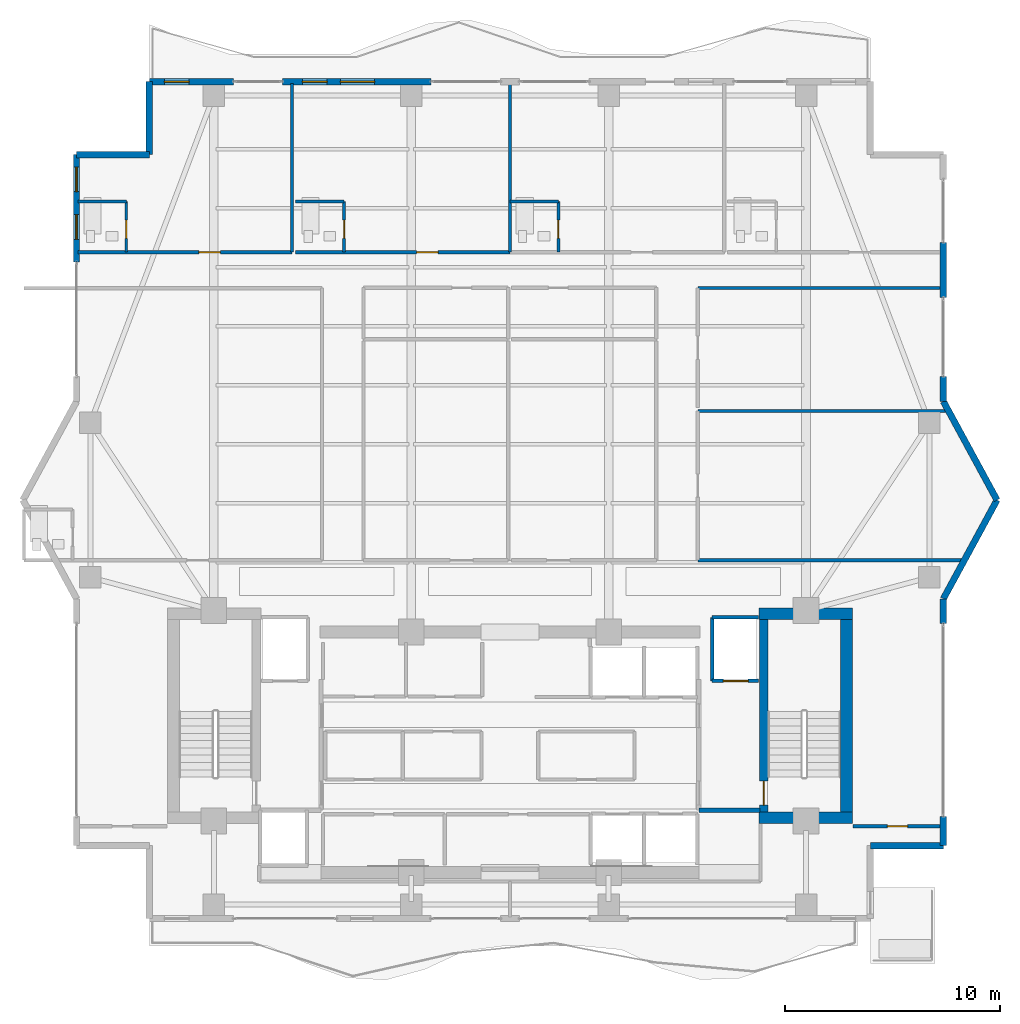
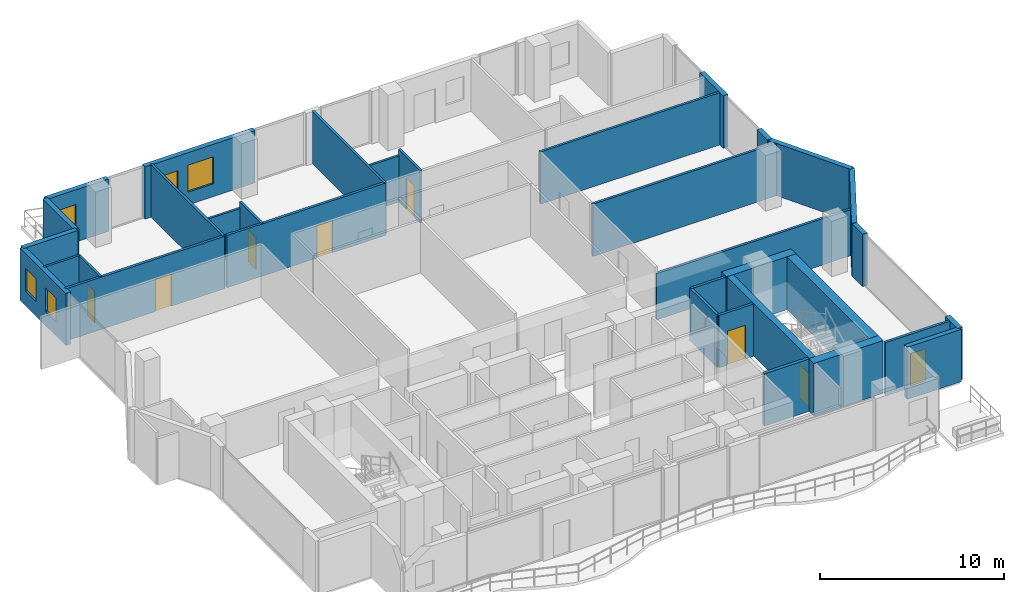
# One storey, part 21 of 25: 34 walls, 8 doors, 5 windows, 13 openings.
"""IFC4 building model written with IfcOpenShell, lengths in metres."""

from ifc_helpers import new_model, si_unit, direction, frame, frame_2d, origin, place, context, subcontext, project, spatial, rectangle, extrude, material, layer, layer_set, type_object, element, fill, save


model = new_model("IFC4")

# Units and contexts
model_context = context("Model", 3, precision=1e-05, world=origin(), true_north=direction((0.0, 1.0)))
body_context = subcontext(model_context, "Body", "Model", "MODEL_VIEW")
ifc_project = project(units=[si_unit("LENGTHUNIT", "METRE"), si_unit("AREAUNIT", "SQUARE_METRE"), si_unit("VOLUMEUNIT", "CUBIC_METRE"), si_unit("PLANEANGLEUNIT", "RADIAN"), si_unit("MASSUNIT", "GRAM", prefix="KILO")], contexts=[model_context])

# Site, building, storey
site_placement = place(None, origin())
site = spatial("IfcSite", under=ifc_project, at=site_placement, CompositionType="ELEMENT")
building_placement = place(site_placement, origin())
building = spatial("IfcBuilding", under=site, at=building_placement, Name="Zuhayl Quay Hotel", CompositionType="ELEMENT")
storey_placement = place(building_placement, frame((0.0, 0.0, 250.75)))
storey = spatial("IfcBuildingStorey", under=building, at=storey_placement, Name="L63", CompositionType="ELEMENT", Elevation=250.75)

# Walls
ifc_material_1 = material(Name="Concrete C50/60", Category="concrete")
ifc_layer_1 = layer(ifc_material_1, 0.550048828125, Name="Concrete C50/60", Category="concrete")
ifc_layer_set_1 = layer_set([ifc_layer_1], Name="Concrete C50/60")
wall_type_1 = type_object("IfcWallType", Name="WL_CORE_550", PredefinedType="SHEAR", material=ifc_layer_set_1)
wall_1_placement = place(storey_placement, frame((11.60009765625, 14.205078125, 0.0), z_axis=(0.0, 0.0, 1.0), x_axis=(1.0, 0.0, 0.0)))
element("IfcWall", 1, at=wall_1_placement, inside=storey, type_object=wall_type_1, Name="L63 Core Shear Wall CW_NE", PredefinedType="SHEAR", context=body_context, shape_type="SweptSolid", body=[
    extrude(rectangle(XDim=4.35986328125, YDim=0.550048828125, at=frame_2d((2.179931640625, 0.0))), origin(), (0.0, 0.0, 1.0), 3.510009765625),
])
wall_2_placement = place(storey_placement, frame((15.68505859375, 4.969970703125, 0.0), z_axis=(0.0, 0.0, 1.0), x_axis=(0.0, 1.0, 0.0)))
element("IfcWall", 2, at=wall_2_placement, inside=storey, type_object=wall_type_1, Name="L63 Core Shear Wall CW_E", PredefinedType="SHEAR", context=body_context, shape_type="SweptSolid", body=[
    extrude(rectangle(XDim=8.9599609375, YDim=0.550048828125, at=frame_2d((4.47998046875, 0.0))), origin(), (0.0, 0.0, 1.0), 3.510009765625),
])
wall_3_placement = place(storey_placement, frame((11.60009765625, 4.695068359375, 0.0), z_axis=(0.0, 0.0, 1.0), x_axis=(1.0, 0.0, 0.0)))
element("IfcWall", 3, at=wall_3_placement, inside=storey, type_object=wall_type_1, Name="L63 Core Shear Wall CW_SE", PredefinedType="SHEAR", context=body_context, shape_type="SweptSolid", body=[
    extrude(rectangle(XDim=4.35986328125, YDim=0.550048828125, at=frame_2d((2.179931640625, 0.0))), origin(), (0.0, 0.0, 1.0), 3.510009765625),
])

# Wall, openings, windows
ifc_material_2 = material(Name="Precast concrete C45/55", Category="concrete")
ifc_layer_2 = layer(ifc_material_2, 0.300048828125, Name="Precast concrete C45/55", Category="concrete")
ifc_layer_set_2 = layer_set([ifc_layer_2], Name="Precast concrete C45/55")
wall_type_2 = type_object("IfcWallType", Name="WL_EXT_300", PredefinedType="STANDARD", material=ifc_layer_set_2)
wall_4_placement = place(storey_placement, frame((-20.199951171875, 30.60009765625, 0.0), z_axis=(0.0, 0.0, 1.0), x_axis=(0.0, 1.0, 0.0)))
wall_4 = element("IfcWall", 4, at=wall_4_placement, inside=storey, type_object=wall_type_2, Name="L63 Exterior Precast Wall ENV_L63_E05_EW2", PredefinedType="STANDARD", context=body_context, shape_type="SweptSolid", body=[
    extrude(rectangle(XDim=5.0, YDim=0.300048828125, at=frame_2d((2.5, 0.0))), origin(), (0.0, 0.0, 1.0), 3.47998046875),
])
opening_1_placement = place(wall_4_placement, frame((1.054931640625, 0.0, 0.949951171875)))
opening_1 = element("IfcOpeningElement", 5, at=opening_1_placement, cuts=wall_4, Name="Opening W01N", PredefinedType="OPENING", context=body_context, shape_type="SweptSolid", body=[
    extrude(rectangle(XDim=1.14990234375, YDim=1.550048828125, at=frame_2d((0.574951171875, 0.77490234375))), frame((0.0, 0.159912109375, 0.0), z_axis=(0.0, -1.0, 0.0), x_axis=(1.0, 0.0, 0.0)), (0.0, 0.0, 1.0), 0.320068359375),
])
opening_2_placement = place(wall_4_placement, frame((3.27001953125, 0.0, 0.949951171875)))
opening_2 = element("IfcOpeningElement", 6, at=opening_2_placement, cuts=wall_4, Name="Opening W01N", PredefinedType="OPENING", context=body_context, shape_type="SweptSolid", body=[
    extrude(rectangle(XDim=1.14990234375, YDim=1.550048828125, at=frame_2d((0.574951171875, 0.77490234375))), frame((0.0, 0.159912109375, 0.0), z_axis=(0.0, -1.0, 0.0), x_axis=(1.0, 0.0, 0.0)), (0.0, 0.0, 1.0), 0.320068359375),
])
ifc_material_3 = material(Name="Dark Ceramic-Fritted Solar Glass", Category="glass")
window_type_1 = type_object("IfcWindowType", Name="WN_NOTCH_1350", PartitioningType="SINGLE_PANEL", PredefinedType="WINDOW", material=ifc_material_3)
window_1_placement = place(opening_1_placement, origin())
window_1 = element("IfcWindow", 7, at=window_1_placement, inside=storey, type_object=window_type_1, Name="L63 Operable Facade Window 2-1", OverallHeight=1.550048828125, OverallWidth=1.14990234375, PartitioningType="SINGLE_PANEL", PredefinedType="WINDOW", context=body_context, shape_type="SweptSolid", body=[
    extrude(rectangle(XDim=1.14990234375, YDim=1.550048828125, at=frame_2d((0.574951171875, 0.77490234375))), frame((0.0, 0.030029296875, 0.0), z_axis=(0.0, -1.0, 0.0), x_axis=(1.0, 0.0, 0.0)), (0.0, 0.0, 1.0), 0.06005859375),
])
fill(opening_1, window_1)
window_2_placement = place(opening_2_placement, origin())
window_2 = element("IfcWindow", 8, at=window_2_placement, inside=storey, type_object=window_type_1, Name="L63 Operable Facade Window 2-2", OverallHeight=1.550048828125, OverallWidth=1.14990234375, PartitioningType="SINGLE_PANEL", PredefinedType="WINDOW", context=body_context, shape_type="SweptSolid", body=[
    extrude(rectangle(XDim=1.14990234375, YDim=1.550048828125, at=frame_2d((0.574951171875, 0.77490234375))), frame((0.0, 0.030029296875, 0.0), z_axis=(0.0, -1.0, 0.0), x_axis=(1.0, 0.0, 0.0)), (0.0, 0.0, 1.0), 0.06005859375),
])
fill(opening_2, window_2)

# Walls
for number, where, z_axis, x_axis, name in (
    (9, (-20.199951171875, 35.60009765625, 0.0), (0.0, 0.0, 1.0), (1.0, 0.0, 0.0), "L63 Exterior Precast Wall ENV_L63_EW06"),
    (10, (-16.800048828125, 35.60009765625, 0.0), (0.0, 0.0, 1.0), (0.0, 1.0, 0.0), "L63 Exterior Precast Wall ENV_L63_EW07"),
):
    element("IfcWall", number, at=place(storey_placement, frame(where, z_axis=z_axis, x_axis=x_axis)), inside=storey, type_object=wall_type_2, Name=name, PredefinedType="STANDARD", context=body_context, shape_type="SweptSolid", body=[
        extrude(rectangle(XDim=3.39990234375, YDim=0.300048828125, at=frame_2d((1.699951171875, 0.0))), origin(), (0.0, 0.0, 1.0), 3.47998046875),
    ])

# Wall, opening, window
wall_5_placement = place(storey_placement, frame((-16.800048828125, 39.0, 0.0), z_axis=(0.0, 0.0, 1.0), x_axis=(1.0, 0.0, 0.0)))
wall_5 = element("IfcWall", 11, at=wall_5_placement, inside=storey, type_object=wall_type_2, Name="L63 Exterior Precast Wall ENV_L63_N_EW1", PredefinedType="STANDARD", context=body_context, shape_type="SweptSolid", body=[
    extrude(rectangle(XDim=3.920166015625, YDim=0.300048828125, at=frame_2d((1.9599609375, 0.0))), origin(), (0.0, 0.0, 1.0), 3.47998046875),
])
opening_3_placement = place(wall_5_placement, frame((0.695068359375, 0.0, 0.949951171875)))
opening_3 = element("IfcOpeningElement", 12, at=opening_3_placement, cuts=wall_5, Name="Opening W01N", PredefinedType="OPENING", context=body_context, shape_type="SweptSolid", body=[
    extrude(rectangle(XDim=1.14990234375, YDim=1.550048828125, at=frame_2d((0.574951171875, 0.77490234375))), frame((0.0, 0.159912109375, 0.0), z_axis=(0.0, -1.0, 0.0), x_axis=(1.0, 0.0, 0.0)), (0.0, 0.0, 1.0), 0.320068359375),
])
window_3_placement = place(opening_3_placement, origin())
window_3 = element("IfcWindow", 13, at=window_3_placement, inside=storey, type_object=window_type_1, Name="L63 Operable Facade Window 1-1", OverallHeight=1.550048828125, OverallWidth=1.14990234375, PartitioningType="SINGLE_PANEL", PredefinedType="WINDOW", context=body_context, shape_type="SweptSolid", body=[
    extrude(rectangle(XDim=1.14990234375, YDim=1.550048828125, at=frame_2d((0.574951171875, 0.77490234375))), frame((0.0, 0.030029296875, 0.0), z_axis=(0.0, -1.0, 0.0), x_axis=(1.0, 0.0, 0.0)), (0.0, 0.0, 1.0), 0.06005859375),
])
fill(opening_3, window_3)

# Wall, openings, windows
wall_6_placement = place(storey_placement, frame((-10.60009765625, 39.0, 0.0), z_axis=(0.0, 0.0, 1.0), x_axis=(1.0, 0.0, 0.0)))
wall_6 = element("IfcWall", 14, at=wall_6_placement, inside=storey, type_object=wall_type_2, Name="L63 Exterior Precast Wall ENV_L63_N_EW2", PredefinedType="STANDARD", context=body_context, shape_type="SweptSolid", body=[
    extrude(rectangle(XDim=6.920166015625, YDim=0.300048828125, at=frame_2d((3.4599609375, 0.0))), origin(), (0.0, 0.0, 1.0), 3.47998046875),
])
opening_4_placement = place(wall_6_placement, frame((2.695068359375, 0.0, 0.85009765625)))
opening_4 = element("IfcOpeningElement", 15, at=opening_4_placement, cuts=wall_6, Name="Opening W01", PredefinedType="OPENING", context=body_context, shape_type="SweptSolid", body=[
    extrude(rectangle(XDim=1.60009765625, YDim=1.800048828125, at=frame_2d((0.800048828125, 0.89990234375))), frame((0.0, 0.159912109375, 0.0), z_axis=(0.0, -1.0, 0.0), x_axis=(1.0, 0.0, 0.0)), (0.0, 0.0, 1.0), 0.320068359375),
])
opening_5_placement = place(wall_6_placement, frame((0.9326171875, 0.0, 0.949951171875)))
opening_5 = element("IfcOpeningElement", 16, at=opening_5_placement, cuts=wall_6, Name="Opening W01N", PredefinedType="OPENING", context=body_context, shape_type="SweptSolid", body=[
    extrude(rectangle(XDim=1.14990234375, YDim=1.550048828125, at=frame_2d((0.574951171875, 0.77490234375))), frame((0.0, 0.159912109375, 0.0), z_axis=(0.0, -1.0, 0.0), x_axis=(1.0, 0.0, 0.0)), (0.0, 0.0, 1.0), 0.320068359375),
])
window_4_placement = place(opening_5_placement, origin())
window_4 = element("IfcWindow", 17, at=window_4_placement, inside=storey, type_object=window_type_1, Name="L63 Operable Facade Window 2-1", OverallHeight=1.550048828125, OverallWidth=1.14990234375, PartitioningType="SINGLE_PANEL", PredefinedType="WINDOW", context=body_context, shape_type="SweptSolid", body=[
    extrude(rectangle(XDim=1.14990234375, YDim=1.550048828125, at=frame_2d((0.574951171875, 0.77490234375))), frame((0.0, 0.030029296875, 0.0), z_axis=(0.0, -1.0, 0.0), x_axis=(1.0, 0.0, 0.0)), (0.0, 0.0, 1.0), 0.06005859375),
])
fill(opening_5, window_4)
window_type_2 = type_object("IfcWindowType", Name="WN_OPERABLE_1600", PartitioningType="DOUBLE_PANEL_VERTICAL", PredefinedType="WINDOW", material=ifc_material_3)
window_5_placement = place(opening_4_placement, origin())
window_5 = element("IfcWindow", 18, at=window_5_placement, inside=storey, type_object=window_type_2, Name="L63 North Operable Casement Window", OverallHeight=1.800048828125, OverallWidth=1.60009765625, PartitioningType="SINGLE_PANEL", PredefinedType="WINDOW", context=body_context, shape_type="SweptSolid", body=[
    extrude(rectangle(XDim=1.60009765625, YDim=1.800048828125, at=frame_2d((0.800048828125, 0.89990234375))), frame((0.0, 0.030029296875, 0.0), z_axis=(0.0, -1.0, 0.0), x_axis=(1.0, 0.0, 0.0)), (0.0, 0.0, 1.0), 0.06005859375),
])
fill(opening_4, window_5)

# Walls
wall_7_placement = place(storey_placement, frame((20.199951171875, 31.5, 0.0), z_axis=(0.0, 0.0, 1.0), x_axis=(0.0, -1.0, 0.0)))
element("IfcWall", 19, at=wall_7_placement, inside=storey, type_object=wall_type_2, Name="L63 Exterior Precast Wall ENV_L63_E11_EW2", PredefinedType="STANDARD", context=body_context, shape_type="SweptSolid", body=[
    extrude(rectangle(XDim=2.570068359375, YDim=0.300048828125, at=frame_2d((1.28515625, 0.0))), origin(), (0.0, 0.0, 1.0), 3.47998046875),
])
wall_8_placement = place(storey_placement, frame((20.199951171875, 25.25, 0.0), z_axis=(0.0, 0.0, 1.0), x_axis=(0.0, -1.0, 0.0)))
element("IfcWall", 20, at=wall_8_placement, inside=storey, type_object=wall_type_2, Name="L63 Exterior Precast Wall ENV_L63_E11_EW3", PredefinedType="STANDARD", context=body_context, shape_type="SweptSolid", body=[
    extrude(rectangle(XDim=1.14990234375, YDim=0.300048828125, at=frame_2d((0.574951171875, 0.0))), origin(), (0.0, 0.0, 1.0), 3.47998046875),
])
for number, where, z_axis, x_axis, name in (
    (21, (20.199951171875, 24.10009765625, 0.0), (0.0, 0.0, 1.0), (0.477505494629, -0.878628762675, 0.0), "L63 Exterior Precast Wall ENV_L63_EW12"),
    (22, (22.699951171875, 19.5, 0.0), (0.0, 0.0, 1.0), (-0.477505494629, -0.878628762675, 0.0), "L63 Exterior Precast Wall ENV_L63_EW13"),
):
    element("IfcWall", number, at=place(storey_placement, frame(where, z_axis=z_axis, x_axis=x_axis)), inside=storey, type_object=wall_type_2, Name=name, PredefinedType="STANDARD", context=body_context, shape_type="SweptSolid", body=[
        extrude(rectangle(XDim=5.235595703125, YDim=0.300048828125, at=frame_2d((2.61767578125, 0.0))), origin(), (0.0, 0.0, 1.0), 3.47998046875),
    ])
wall_9_placement = place(storey_placement, frame((20.199951171875, 14.89990234375, 0.0), z_axis=(0.0, 0.0, 1.0), x_axis=(0.0, -1.0, 0.0)))
element("IfcWall", 23, at=wall_9_placement, inside=storey, type_object=wall_type_2, Name="L63 Exterior Precast Wall ENV_L63_E14_EW1", PredefinedType="STANDARD", context=body_context, shape_type="SweptSolid", body=[
    extrude(rectangle(XDim=1.14990234375, YDim=0.300048828125, at=frame_2d((0.574951171875, 0.0))), origin(), (0.0, 0.0, 1.0), 3.47998046875),
])
wall_10_placement = place(storey_placement, frame((20.199951171875, 4.75, 0.0), z_axis=(0.0, 0.0, 1.0), x_axis=(0.0, -1.0, 0.0)))
element("IfcWall", 24, at=wall_10_placement, inside=storey, type_object=wall_type_2, Name="L63 Exterior Precast Wall ENV_L63_E14_EW2", PredefinedType="STANDARD", context=body_context, shape_type="SweptSolid", body=[
    extrude(rectangle(XDim=1.35009765625, YDim=0.300048828125, at=frame_2d((0.675048828125, 0.0))), origin(), (0.0, 0.0, 1.0), 3.47998046875),
])
wall_11_placement = place(storey_placement, frame((20.199951171875, 3.39990234375, 0.0), z_axis=(0.0, 0.0, 1.0), x_axis=(-1.0, 0.0, 0.0)))
element("IfcWall", 25, at=wall_11_placement, inside=storey, type_object=wall_type_2, Name="L63 Exterior Precast Wall ENV_L63_EW15", PredefinedType="STANDARD", context=body_context, shape_type="SweptSolid", body=[
    extrude(rectangle(XDim=3.39990234375, YDim=0.300048828125, at=frame_2d((1.699951171875, 0.0))), origin(), (0.0, 0.0, 1.0), 3.47998046875),
])
ifc_material_4 = material(Name="Acoustic Gypsum Partition STC-58")
ifc_layer_3 = layer(ifc_material_4, 0.14990234375, Name="Acoustic Gypsum Partition STC-58")
ifc_layer_set_3 = layer_set([ifc_layer_3], Name="Acoustic Gypsum Partition STC-58")
wall_type_3 = type_object("IfcWallType", Name="WL_PART_150", PredefinedType="PARTITIONING", material=ifc_layer_set_3)
for number, where, z_axis, x_axis, name in (
    (26, (-10.14990234375, 31.050048828125, 0.0), (0.0, 0.0, 1.0), (0.0, 1.0, 0.0), "L63 Partition IW_L63_NU01A_E"),
    (27, (0.0, 31.050048828125, 0.0), (0.0, 0.0, 1.0), (0.0, 1.0, 0.0), "L63 Partition IW_L63_NU01B_E"),
):
    element("IfcWall", number, at=place(storey_placement, frame(where, z_axis=z_axis, x_axis=x_axis)), inside=storey, type_object=wall_type_3, Name=name, PredefinedType="PARTITIONING", context=body_context, shape_type="SweptSolid", body=[
        extrude(rectangle(XDim=7.869873046875, YDim=0.14990234375, at=frame_2d((3.93505859375, 0.0))), origin(), (0.0, 0.0, 1.0), 3.47998046875),
    ])
wall_12_placement = place(storey_placement, frame((8.760009765625, 16.699951171875, 0.0), z_axis=(0.0, 0.0, 1.0), x_axis=(1.0, 0.0, 0.0)))
element("IfcWall", 28, at=wall_12_placement, inside=storey, type_object=wall_type_3, Name="L63 Partition IW_L63_Z4_E1_S", PredefinedType="PARTITIONING", context=body_context, shape_type="SweptSolid", body=[
    extrude(rectangle(XDim=12.3583984375, YDim=0.14990234375, at=frame_2d((6.17919921875, 0.0))), origin(), (0.0, 0.0, 1.0), 3.075927734375),
])
wall_13_placement = place(storey_placement, frame((8.760009765625, 23.64990234375, 0.0), z_axis=(0.0, 0.0, 1.0), x_axis=(1.0, 0.0, 0.0)))
element("IfcWall", 29, at=wall_13_placement, inside=storey, type_object=wall_type_3, Name="L63 Partition IW_L63_Z4_E1_N", PredefinedType="PARTITIONING", context=body_context, shape_type="SweptSolid", body=[
    extrude(rectangle(XDim=11.62451171875, YDim=0.14990234375, at=frame_2d((5.812255859375, 0.0))), origin(), (0.0, 0.0, 1.0), 3.47998046875),
])
wall_14_placement = place(storey_placement, frame((8.760009765625, 29.3798828125, 0.0), z_axis=(0.0, 0.0, 1.0), x_axis=(1.0, 0.0, 0.0)))
element("IfcWall", 30, at=wall_14_placement, inside=storey, type_object=wall_type_3, Name="L63 Partition IW_L63_Z4_E2_N", PredefinedType="PARTITIONING", context=body_context, shape_type="SweptSolid", body=[
    extrude(rectangle(XDim=11.3798828125, YDim=0.14990234375, at=frame_2d((5.68994140625, 0.0))), origin(), (0.0, 0.0, 1.0), 3.47998046875),
])

# Wall, opening, door
ifc_layer_4 = layer(ifc_material_4, 0.159912109375, Name="Acoustic Gypsum Partition STC-58")
ifc_layer_set_4 = layer_set([ifc_layer_4], Name="Acoustic Gypsum Partition STC-58")
wall_type_4 = type_object("IfcWallType", Name="WL_PART_CORR_160", PredefinedType="PARTITIONING", material=ifc_layer_set_4)
wall_15_placement = place(storey_placement, frame((15.97998046875, 4.300048828125, 0.0), z_axis=(0.0, 0.0, 1.0), x_axis=(1.0, 0.0, 0.0)))
wall_15 = element("IfcWall", 31, at=wall_15_placement, inside=storey, type_object=wall_type_4, Name="L63 Partition IW_L63_Z4_SUN_SE_N", PredefinedType="PARTITIONING", context=body_context, shape_type="SweptSolid", body=[
    extrude(rectangle(XDim=4.159912109375, YDim=0.159912109375, at=frame_2d((2.080078125, 0.0))), origin(), (0.0, 0.0, 1.0), 3.47998046875),
])
opening_6_placement = place(wall_15_placement, frame((1.60498046875, 0.0, 0.0)))
opening_6 = element("IfcOpeningElement", 32, at=opening_6_placement, cuts=wall_15, Name="Opening D03", PredefinedType="OPENING", context=body_context, shape_type="SweptSolid", body=[
    extrude(rectangle(XDim=0.949951171875, YDim=2.14990234375, at=frame_2d((0.47509765625, 1.074951171875))), frame((0.0, 0.08984375, 0.0), z_axis=(0.0, -1.0, 0.0), x_axis=(1.0, 0.0, 0.0)), (0.0, 0.0, 1.0), 0.179931640625),
])
ifc_material_5 = material(Name="Solid Walnut Acoustic Fire Door")
door_type_1 = type_object("IfcDoorType", Name="DR_SUITE_950", OperationType="NOTDEFINED", PredefinedType="DOOR", material=ifc_material_5)
door_1_placement = place(opening_6_placement, origin())
door_1 = element("IfcDoor", 33, at=door_1_placement, inside=storey, type_object=door_type_1, Name="L63 Sunset Salon SE Door", OperationType="SINGLE_SWING_RIGHT", OverallHeight=2.14990234375, OverallWidth=0.949951171875, PredefinedType="DOOR", context=body_context, shape_type="SweptSolid", body=[
    extrude(rectangle(XDim=0.949951171875, YDim=2.14990234375, at=frame_2d((0.47509765625, 1.074951171875))), frame((0.0, 0.02490234375, 0.0), z_axis=(0.0, -1.0, 0.0), x_axis=(1.0, 0.0, 0.0)), (0.0, 0.0, 1.0), 0.050048828125),
])
fill(opening_6, door_1)

wall_16_placement = place(storey_placement, frame((-20.139892578125, 31.050048828125, 0.0), z_axis=(0.0, 0.0, 1.0), x_axis=(1.0, 0.0, 0.0)))
wall_16 = element("IfcWall", 34, at=wall_16_placement, inside=storey, type_object=wall_type_4, Name="L63 Partition IW_L63_NU01A_COR", PredefinedType="PARTITIONING", context=body_context, shape_type="SweptSolid", body=[
    extrude(rectangle(XDim=9.989990234375, YDim=0.159912109375, at=frame_2d((4.9951171875, 0.0))), origin(), (0.0, 0.0, 1.0), 3.47998046875),
])
opening_7_placement = place(wall_16_placement, frame((5.64501953125, 0.0, 0.0)))
opening_7 = element("IfcOpeningElement", 35, at=opening_7_placement, cuts=wall_16, Name="Opening D03L", PredefinedType="OPENING", context=body_context, shape_type="SweptSolid", body=[
    extrude(rectangle(XDim=1.0, YDim=2.14990234375, at=frame_2d((0.5, 1.074951171875))), frame((0.0, 0.08984375, 0.0), z_axis=(0.0, -1.0, 0.0), x_axis=(1.0, 0.0, 0.0)), (0.0, 0.0, 1.0), 0.179931640625),
])
door_type_2 = type_object("IfcDoorType", Name="DR_SUITE_1000", OperationType="NOTDEFINED", PredefinedType="DOOR", material=ifc_material_5)
door_2_placement = place(opening_7_placement, origin())
door_2 = element("IfcDoor", 36, at=door_2_placement, inside=storey, type_object=door_type_2, Name="L63 Royal Gulf Suite L63-01A Entrance Door", OperationType="SINGLE_SWING_RIGHT", OverallHeight=2.14990234375, OverallWidth=1.0, PredefinedType="DOOR", context=body_context, shape_type="SweptSolid", body=[
    extrude(rectangle(XDim=1.0, YDim=2.14990234375, at=frame_2d((0.5, 1.074951171875))), frame((0.0, 0.02490234375, 0.0), z_axis=(0.0, -1.0, 0.0), x_axis=(1.0, 0.0, 0.0)), (0.0, 0.0, 1.0), 0.050048828125),
])
fill(opening_7, door_2)

wall_17_placement = place(storey_placement, frame((-9.989990234375, 31.050048828125, 0.0), z_axis=(0.0, 0.0, 1.0), x_axis=(1.0, 0.0, 0.0)))
wall_17 = element("IfcWall", 37, at=wall_17_placement, inside=storey, type_object=wall_type_4, Name="L63 Partition IW_L63_NU01B_COR", PredefinedType="PARTITIONING", context=body_context, shape_type="SweptSolid", body=[
    extrude(rectangle(XDim=9.989990234375, YDim=0.159912109375, at=frame_2d((4.9951171875, 0.0))), origin(), (0.0, 0.0, 1.0), 3.47998046875),
])
opening_8_placement = place(wall_17_placement, frame((5.64501953125, 0.0, 0.0)))
opening_8 = element("IfcOpeningElement", 38, at=opening_8_placement, cuts=wall_17, Name="Opening D03L", PredefinedType="OPENING", context=body_context, shape_type="SweptSolid", body=[
    extrude(rectangle(XDim=1.0, YDim=2.14990234375, at=frame_2d((0.5, 1.074951171875))), frame((0.0, 0.08984375, 0.0), z_axis=(0.0, -1.0, 0.0), x_axis=(1.0, 0.0, 0.0)), (0.0, 0.0, 1.0), 0.179931640625),
])
door_3_placement = place(opening_8_placement, origin())
door_3 = element("IfcDoor", 39, at=door_3_placement, inside=storey, type_object=door_type_2, Name="L63 Royal Gulf Suite L63-01B Entrance Door", OperationType="SINGLE_SWING_RIGHT", OverallHeight=2.14990234375, OverallWidth=1.0, PredefinedType="DOOR", context=body_context, shape_type="SweptSolid", body=[
    extrude(rectangle(XDim=1.0, YDim=2.14990234375, at=frame_2d((0.5, 1.074951171875))), frame((0.0, 0.02490234375, 0.0), z_axis=(0.0, -1.0, 0.0), x_axis=(1.0, 0.0, 0.0)), (0.0, 0.0, 1.0), 0.050048828125),
])
fill(opening_8, door_3)

ifc_material_6 = material(Name="Moisture-Resistant Sanitarychase Gypsum")
ifc_layer_5 = layer(ifc_material_6, 0.135009765625, Name="Moisture-Resistant Sanitarychase Gypsum")
ifc_layer_set_5 = layer_set([ifc_layer_5], Name="Moisture-Resistant Sanitarychase Gypsum")
wall_type_5 = type_object("IfcWallType", Name="WL_PART_PLUMB_150", PredefinedType="PLUMBINGWALL", material=ifc_layer_set_5)
wall_18_placement = place(storey_placement, frame((-17.8798828125, 31.050048828125, 0.0), z_axis=(0.0, 0.0, 1.0), x_axis=(0.0, 1.0, 0.0)))
wall_18 = element("IfcWall", 40, at=wall_18_placement, inside=storey, type_object=wall_type_5, Name="L63 Partition IW_L63_NU01A_BE", PredefinedType="PLUMBINGWALL", context=body_context, shape_type="SweptSolid", body=[
    extrude(rectangle(XDim=2.35986328125, YDim=0.135009765625, at=frame_2d((1.179931640625, 0.0))), origin(), (0.0, 0.0, 1.0), 3.47998046875),
])
opening_9_placement = place(wall_18_placement, frame((0.64990234375, 0.0, 0.0)))
opening_9 = element("IfcOpeningElement", 41, at=opening_9_placement, cuts=wall_18, Name="Opening D04", PredefinedType="OPENING", context=body_context, shape_type="SweptSolid", body=[
    extrude(rectangle(XDim=0.85009765625, YDim=2.10009765625, at=frame_2d((0.425048828125, 1.050048828125))), frame((0.0, 0.077392578125, 0.0), z_axis=(0.0, -1.0, 0.0), x_axis=(1.0, 0.0, 0.0)), (0.0, 0.0, 1.0), 0.155029296875),
])
ifc_material_7 = material(Name="Moisture-Resistant Walnut Veneer")
door_type_3 = type_object("IfcDoorType", Name="DR_BATH_850", OperationType="NOTDEFINED", PredefinedType="DOOR", material=ifc_material_7)
door_4_placement = place(opening_9_placement, origin())
door_4 = element("IfcDoor", 42, at=door_4_placement, inside=storey, type_object=door_type_3, Name="L63 Royal Gulf Suite L63-01A En-Suite Door", OperationType="SINGLE_SWING_LEFT", OverallHeight=2.10009765625, OverallWidth=0.85009765625, PredefinedType="DOOR", context=body_context, shape_type="SweptSolid", body=[
    extrude(rectangle(XDim=0.85009765625, YDim=2.10009765625, at=frame_2d((0.425048828125, 1.050048828125))), frame((0.0, 0.02490234375, 0.0), z_axis=(0.0, -1.0, 0.0), x_axis=(1.0, 0.0, 0.0)), (0.0, 0.0, 1.0), 0.050048828125),
])
fill(opening_9, door_4)

wall_19_placement = place(storey_placement, frame((-7.72998046875, 31.050048828125, 0.0), z_axis=(0.0, 0.0, 1.0), x_axis=(0.0, 1.0, 0.0)))
wall_19 = element("IfcWall", 43, at=wall_19_placement, inside=storey, type_object=wall_type_5, Name="L63 Partition IW_L63_NU01B_BE", PredefinedType="PLUMBINGWALL", context=body_context, shape_type="SweptSolid", body=[
    extrude(rectangle(XDim=2.35986328125, YDim=0.135009765625, at=frame_2d((1.179931640625, 0.0))), origin(), (0.0, 0.0, 1.0), 3.47998046875),
])
opening_10_placement = place(wall_19_placement, frame((0.64990234375, 0.0, 0.0)))
opening_10 = element("IfcOpeningElement", 44, at=opening_10_placement, cuts=wall_19, Name="Opening D04", PredefinedType="OPENING", context=body_context, shape_type="SweptSolid", body=[
    extrude(rectangle(XDim=0.85009765625, YDim=2.10009765625, at=frame_2d((0.425048828125, 1.050048828125))), frame((0.0, 0.077392578125, 0.0), z_axis=(0.0, -1.0, 0.0), x_axis=(1.0, 0.0, 0.0)), (0.0, 0.0, 1.0), 0.155029296875),
])
door_5_placement = place(opening_10_placement, origin())
door_5 = element("IfcDoor", 45, at=door_5_placement, inside=storey, type_object=door_type_3, Name="L63 Royal Gulf Suite L63-01B En-Suite Door", OperationType="SINGLE_SWING_LEFT", OverallHeight=2.10009765625, OverallWidth=0.85009765625, PredefinedType="DOOR", context=body_context, shape_type="SweptSolid", body=[
    extrude(rectangle(XDim=0.85009765625, YDim=2.10009765625, at=frame_2d((0.425048828125, 1.050048828125))), frame((0.0, 0.02490234375, 0.0), z_axis=(0.0, -1.0, 0.0), x_axis=(1.0, 0.0, 0.0)), (0.0, 0.0, 1.0), 0.050048828125),
])
fill(opening_10, door_5)

wall_20_placement = place(storey_placement, frame((2.260009765625, 31.050048828125, 0.0), z_axis=(0.0, 0.0, 1.0), x_axis=(0.0, 1.0, 0.0)))
wall_20 = element("IfcWall", 46, at=wall_20_placement, inside=storey, type_object=wall_type_5, Name="L63 Partition IW_L63_NU02A_BE", PredefinedType="PLUMBINGWALL", context=body_context, shape_type="SweptSolid", body=[
    extrude(rectangle(XDim=2.35986328125, YDim=0.135009765625, at=frame_2d((1.179931640625, 0.0))), origin(), (0.0, 0.0, 1.0), 3.47998046875),
])
opening_11_placement = place(wall_20_placement, frame((0.64990234375, 0.0, 0.0)))
opening_11 = element("IfcOpeningElement", 47, at=opening_11_placement, cuts=wall_20, Name="Opening D04", PredefinedType="OPENING", context=body_context, shape_type="SweptSolid", body=[
    extrude(rectangle(XDim=0.85009765625, YDim=2.10009765625, at=frame_2d((0.425048828125, 1.050048828125))), frame((0.0, 0.077392578125, 0.0), z_axis=(0.0, -1.0, 0.0), x_axis=(1.0, 0.0, 0.0)), (0.0, 0.0, 1.0), 0.155029296875),
])
door_6_placement = place(opening_11_placement, origin())
door_6 = element("IfcDoor", 48, at=door_6_placement, inside=storey, type_object=door_type_3, Name="L63 Royal Gulf Suite L63-02A En-Suite Door", OperationType="SINGLE_SWING_LEFT", OverallHeight=2.10009765625, OverallWidth=0.85009765625, PredefinedType="DOOR", context=body_context, shape_type="SweptSolid", body=[
    extrude(rectangle(XDim=0.85009765625, YDim=2.10009765625, at=frame_2d((0.425048828125, 1.050048828125))), frame((0.0, 0.02490234375, 0.0), z_axis=(0.0, -1.0, 0.0), x_axis=(1.0, 0.0, 0.0)), (0.0, 0.0, 1.0), 0.050048828125),
])
fill(opening_11, door_6)

# Walls
wall_21_placement = place(storey_placement, frame((-20.139892578125, 33.409912109375, 0.0), z_axis=(0.0, 0.0, 1.0), x_axis=(1.0, 0.0, 0.0)))
element("IfcWall", 49, at=wall_21_placement, inside=storey, type_object=wall_type_5, Name="L63 Partition IW_L63_NU01A_BN", PredefinedType="PLUMBINGWALL", context=body_context, shape_type="SweptSolid", body=[
    extrude(rectangle(XDim=2.260009765625, YDim=0.135009765625, at=frame_2d((1.1298828125, 0.0))), origin(), (0.0, 0.0, 1.0), 3.47998046875),
])
for number, where, z_axis, x_axis, name in (
    (50, (-9.989990234375, 33.409912109375, 0.0), (0.0, 0.0, 1.0), (1.0, 0.0, 0.0), "L63 Partition IW_L63_NU01B_BN"),
    (51, (0.0, 33.409912109375, 0.0), (0.0, 0.0, 1.0), (1.0, 0.0, 0.0), "L63 Partition IW_L63_NU02A_BN"),
):
    element("IfcWall", number, at=place(storey_placement, frame(where, z_axis=z_axis, x_axis=x_axis)), inside=storey, type_object=wall_type_5, Name=name, PredefinedType="PLUMBINGWALL", context=body_context, shape_type="SweptSolid", body=[
        extrude(rectangle(XDim=2.260009765625, YDim=0.135009765625, at=frame_2d((1.1298828125, 0.0))), origin(), (0.0, 0.0, 1.0), 3.075927734375),
    ])

# Wall, opening, door
ifc_material_8 = material(Name="Gypsum Fireboard Assembly EI-90")
ifc_layer_6 = layer(ifc_material_8, 0.1650390625, Name="Gypsum Fireboard Assembly EI-90")
ifc_layer_set_6 = layer_set([ifc_layer_6], Name="Gypsum Fireboard Assembly EI-90")
wall_type_6 = type_object("IfcWallType", Name="WL_PART_SHAFT_160", PredefinedType="PARTITIONING", material=ifc_layer_set_6)
wall_22_placement = place(storey_placement, frame((9.419921875, 11.070068359375, 0.0), z_axis=(0.0, 0.0, 1.0), x_axis=(1.0, 0.0, 0.0)))
wall_22 = element("IfcWall", 52, at=wall_22_placement, inside=storey, type_object=wall_type_6, Name="L63 Partition IW_L63_SH_FL2_F", PredefinedType="PARTITIONING", context=body_context, shape_type="SweptSolid", body=[
    extrude(rectangle(XDim=2.16015625, YDim=0.1650390625, at=frame_2d((1.080078125, 0.0))), origin(), (0.0, 0.0, 1.0), 3.47998046875),
])
opening_12_placement = place(wall_22_placement, frame((0.530029296875, 0.0, 0.0)))
opening_12 = element("IfcOpeningElement", 53, at=opening_12_placement, cuts=wall_22, Name="Opening LD2", PredefinedType="OPENING", context=body_context, shape_type="SweptSolid", body=[
    extrude(rectangle(XDim=1.14990234375, YDim=2.25, at=frame_2d((0.574951171875, 1.125))), frame((0.0, 0.092529296875, 0.0), z_axis=(0.0, -1.0, 0.0), x_axis=(1.0, 0.0, 0.0)), (0.0, 0.0, 1.0), 0.18505859375),
])
ifc_material_9 = material(Name="Brushed Stainless Steel", Category="steel")
door_type_4 = type_object("IfcDoorType", Name="DR_LIFT_FF_1100", OperationType="SLIDING_TO_LEFT", PredefinedType="DOOR", material=ifc_material_9)
door_7_placement = place(opening_12_placement, origin())
door_7 = element("IfcDoor", 54, at=door_7_placement, inside=storey, type_object=door_type_4, Name="L63 Lift FL2 Sliding Landing Door", OperationType="SLIDING_TO_LEFT", OverallHeight=2.25, OverallWidth=1.14990234375, PredefinedType="DOOR", context=body_context, shape_type="SweptSolid", body=[
    extrude(rectangle(XDim=1.14990234375, YDim=2.25, at=frame_2d((0.574951171875, 1.125))), frame((0.0, 0.02490234375, 0.0), z_axis=(0.0, -1.0, 0.0), x_axis=(1.0, 0.0, 0.0)), (0.0, 0.0, 1.0), 0.050048828125),
])
fill(opening_12, door_7)

# Walls
wall_23_placement = place(storey_placement, frame((9.419921875, 11.070068359375, 0.0), z_axis=(0.0, 0.0, 1.0), x_axis=(0.0, 1.0, 0.0)))
element("IfcWall", 55, at=wall_23_placement, inside=storey, type_object=wall_type_6, Name="L63 Partition IW_L63_SH_FL2_W", PredefinedType="PARTITIONING", context=body_context, shape_type="SweptSolid", body=[
    extrude(rectangle(XDim=2.9599609375, YDim=0.1650390625, at=frame_2d((1.47998046875, 0.0))), origin(), (0.0, 0.0, 1.0), 3.47998046875),
])
wall_24_placement = place(storey_placement, frame((9.419921875, 14.030029296875, 0.0), z_axis=(0.0, 0.0, 1.0), x_axis=(1.0, 0.0, 0.0)))
element("IfcWall", 56, at=wall_24_placement, inside=storey, type_object=wall_type_6, Name="L63 Partition IW_L63_SH_FL2_B", PredefinedType="PARTITIONING", context=body_context, shape_type="SweptSolid", body=[
    extrude(rectangle(XDim=2.16015625, YDim=0.1650390625, at=frame_2d((1.080078125, 0.0))), origin(), (0.0, 0.0, 1.0), 3.47998046875),
])
ifc_material_10 = material(Name="Gypsum Fireboard Assembly EI-120")
ifc_layer_7 = layer(ifc_material_10, 0.199951171875, Name="Gypsum Fireboard Assembly EI-120")
ifc_layer_set_7 = layer_set([ifc_layer_7], Name="Gypsum Fireboard Assembly EI-120")
wall_type_7 = type_object("IfcWallType", Name="WL_PART_SHAFT_200", PredefinedType="PARTITIONING", material=ifc_layer_set_7)
wall_25_placement = place(storey_placement, frame((8.800048828125, 5.050048828125, 0.0), z_axis=(0.0, 0.0, 1.0), x_axis=(1.0, 0.0, 0.0)))
element("IfcWall", 57, at=wall_25_placement, inside=storey, type_object=wall_type_7, Name="L63 Partition IW_L63_FSAE_E_S", PredefinedType="PARTITIONING", context=body_context, shape_type="SweptSolid", body=[
    extrude(rectangle(XDim=2.849853515625, YDim=0.199951171875, at=frame_2d((1.4248046875, 0.0))), origin(), (0.0, 0.0, 1.0), 3.47998046875),
])

# Wall, opening, door
ifc_material_11 = material(Name="Concrete C60/75", Category="concrete")
ifc_layer_8 = layer(ifc_material_11, 0.39990234375, Name="Concrete C60/75", Category="concrete")
ifc_layer_set_8 = layer_set([ifc_layer_8], Name="Concrete C60/75")
wall_type_8 = type_object("IfcWallType", Name="WL_STAIR_400", PredefinedType="SHEAR", material=ifc_layer_set_8)
wall_26_placement = place(storey_placement, frame((11.820068359375, 13.929931640625, 0.0), z_axis=(0.0, 0.0, 1.0), x_axis=(0.0, -1.0, 0.0)))
wall_26 = element("IfcWall", 58, at=wall_26_placement, inside=storey, type_object=wall_type_8, Name="L63 Core Shear Wall SW_ST2", PredefinedType="SHEAR", context=body_context, shape_type="SweptSolid", body=[
    extrude(rectangle(XDim=8.9599609375, YDim=0.39990234375, at=frame_2d((4.47998046875, 0.0))), origin(), (0.0, 0.0, 1.0), 3.510009765625),
])
opening_13_placement = place(wall_26_placement, frame((7.530029296875, 0.0, 0.0)))
opening_13 = element("IfcOpeningElement", 59, at=opening_13_placement, cuts=wall_26, Name="Opening D01", PredefinedType="OPENING", context=body_context, shape_type="SweptSolid", body=[
    extrude(rectangle(XDim=1.1201171875, YDim=2.219970703125, at=frame_2d((0.56005859375, 1.10986328125))), frame((0.0, 0.2099609375, 0.0), z_axis=(0.0, -1.0, 0.0), x_axis=(1.0, 0.0, 0.0)), (0.0, 0.0, 1.0), 0.419921875),
])
ifc_material_12 = material(Name="Steel ASTM A992 Grade 50", Category="steel")
door_type_5 = type_object("IfcDoorType", Name="DR_STAIR_90_1100", OperationType="NOTDEFINED", PredefinedType="DOOR", material=ifc_material_12)
door_8_placement = place(opening_13_placement, origin())
door_8 = element("IfcDoor", 60, at=door_8_placement, inside=storey, type_object=door_type_5, Name="L63 Smokeproof Exit Stair ST2 Door", OperationType="SINGLE_SWING_RIGHT", OverallHeight=2.219970703125, OverallWidth=1.1201171875, PredefinedType="DOOR", context=body_context, shape_type="SweptSolid", body=[
    extrude(rectangle(XDim=1.1201171875, YDim=2.219970703125, at=frame_2d((0.56005859375, 1.10986328125))), frame((0.0, 0.02490234375, 0.0), z_axis=(0.0, -1.0, 0.0), x_axis=(1.0, 0.0, 0.0)), (0.0, 0.0, 1.0), 0.050048828125),
])
fill(opening_13, door_8)

save(model, "model.ifc")
